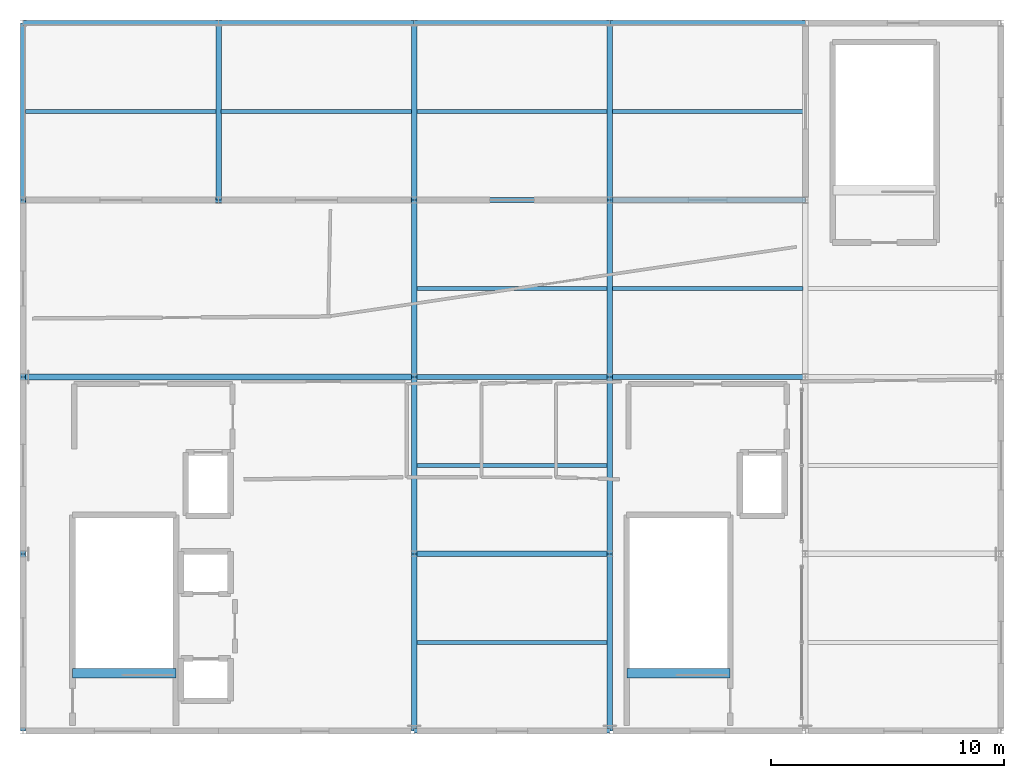
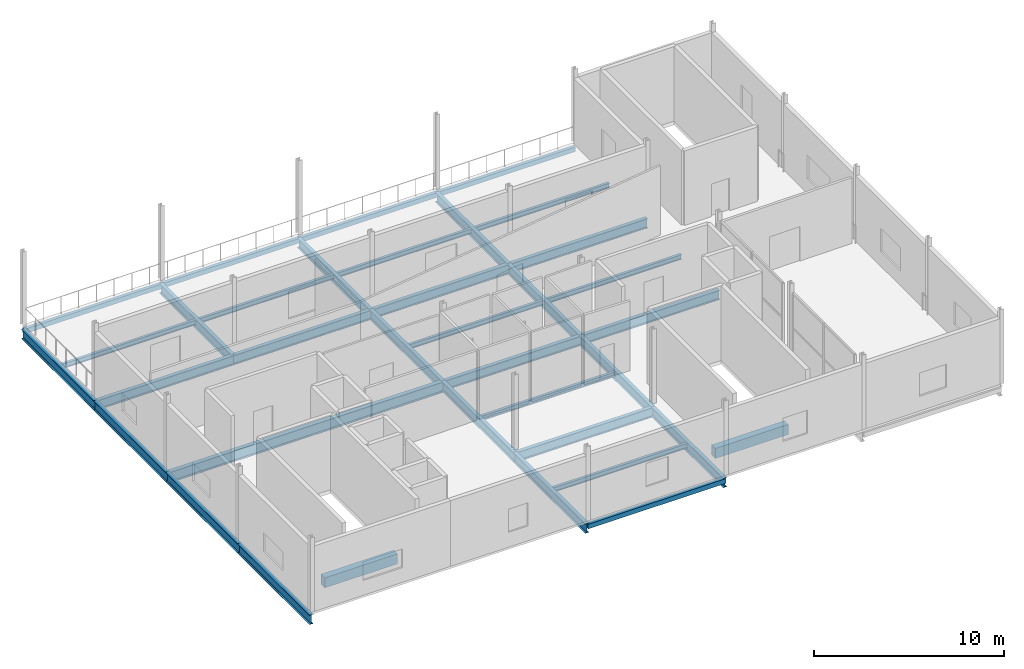
# One storey, part 3 of 8: 36 beams.
"""IFC4 building model written with IfcOpenShell, lengths in metres."""

from ifc_helpers import new_model, si_unit, direction, frame, origin, origin_2d, place, context, subcontext, project, spatial, rectangle, hollow_rectangle, i_section, extrude, material, material_profile, profile_set, type_object, element, save


model = new_model("IFC4")

# Units and contexts
model_context = context("Model", 3, precision=1e-05, world=origin(), true_north=direction((0.0, 1.0)))
body_context = subcontext(model_context, "Body", "Model", "MODEL_VIEW")
ifc_project = project(units=[si_unit("LENGTHUNIT", "METRE"), si_unit("AREAUNIT", "SQUARE_METRE"), si_unit("VOLUMEUNIT", "CUBIC_METRE"), si_unit("PLANEANGLEUNIT", "RADIAN"), si_unit("MASSUNIT", "GRAM", prefix="KILO")], contexts=[model_context])

# Site, building, storey
site_placement = place(None, origin())
site = spatial("IfcSite", under=ifc_project, at=site_placement, CompositionType="ELEMENT")
building_placement = place(site_placement, origin())
building = spatial("IfcBuilding", under=site, at=building_placement, Name="Zuvorla Pavilion Media Centre", CompositionType="ELEMENT")
storey_placement = place(building_placement, frame((0.0, 0.0, 26.39990234375)))
storey = spatial("IfcBuildingStorey", under=building, at=storey_placement, Name="L06", CompositionType="ELEMENT", Elevation=26.39990234375)

# Beams
ifc_material_1 = material(Name="Concrete C40/50", Category="concrete")
ifc_material_profile_1 = material_profile(ifc_material_1, rectangle(XDim=0.39990234375, YDim=0.64990234375, at=origin_2d()), Name="RC 400x650")
ifc_profile_set_1 = profile_set([ifc_material_profile_1], Name="Concrete C40/50")
beam_type_1 = type_object("IfcBeamType", Name="BM-RC-650", PredefinedType="BEAM", material=ifc_profile_set_1)
beam_1_placement = place(storey_placement, frame((68.929931640625, 8.469970703125, -0.323974609375), z_axis=(1.0, 0.0, 0.0), x_axis=(0.0, 1.0, 0.0)))
element("IfcBeam", 1, at=beam_1_placement, inside=storey, type_object=beam_type_1, Name="L06 ST-01 arrival trimmer beam", PredefinedType="BEAM", context=body_context, shape_type="SweptSolid", body=[
    extrude(rectangle(XDim=0.39990234375, YDim=0.64990234375, at=origin_2d()), origin(), (0.0, 0.0, 1.0), 4.440185546875),
])
beam_2_placement = place(storey_placement, frame((92.72998046875, 8.469970703125, -0.323974609375), z_axis=(1.0, 0.0, 0.0), x_axis=(0.0, 1.0, 0.0)))
element("IfcBeam", 2, at=beam_2_placement, inside=storey, type_object=beam_type_1, Name="L06 ST-02 arrival trimmer beam", PredefinedType="BEAM", context=body_context, shape_type="SweptSolid", body=[
    extrude(rectangle(XDim=0.39990234375, YDim=0.64990234375, at=origin_2d()), origin(), (0.0, 0.0, 1.0), 4.43994140625),
])
ifc_material_2 = material(Name="Steel S355", Category="steel")
ifc_material_profile_2 = material_profile(ifc_material_2, hollow_rectangle(XDim=0.199951171875, YDim=0.300048828125, WallThickness=0.012451171875, at=origin_2d()), Name="RHS 300x200x12.5")
ifc_profile_set_2 = profile_set([ifc_material_profile_2], Name="Steel S355")
beam_type_2 = type_object("IfcBeamType", Name="BM-SP-RHS300", PredefinedType="SPANDREL", material=ifc_profile_set_2)
for number, where, z_axis, x_axis, name in (
    (3, (83.60009765625, 6.0, -0.39794921875), (1.0, 0.0, 0.0), (0.0, 1.0, 0.0), "L06 spandrel SP01 1608"),
    (4, (66.800048828125, 36.39990234375, -0.39794921875), (1.0, 0.0, 0.0), (0.0, 1.0, 0.0), "L06 spandrel SP01 1620"),
):
    element("IfcBeam", number, at=place(storey_placement, frame(where, z_axis=z_axis, x_axis=x_axis)), inside=storey, type_object=beam_type_2, Name=name, PredefinedType="SPANDREL", context=body_context, shape_type="SweptSolid", body=[
        extrude(hollow_rectangle(XDim=0.199951171875, YDim=0.300048828125, WallThickness=0.012451171875, at=origin_2d()), origin(), (0.0, 0.0, 1.0), 8.39990234375),
    ])
beam_3_placement = place(storey_placement, frame((75.199951171875, 36.39990234375, -0.39794921875), z_axis=(1.0, 0.0, 0.0), x_axis=(0.0, 1.0, 0.0)))
element("IfcBeam", 5, at=beam_3_placement, inside=storey, type_object=beam_type_2, Name="L06 spandrel SP01 1621", PredefinedType="SPANDREL", context=body_context, shape_type="SweptSolid", body=[
    extrude(hollow_rectangle(XDim=0.199951171875, YDim=0.300048828125, WallThickness=0.012451171875, at=origin_2d()), origin(), (0.0, 0.0, 1.0), 8.400146484375),
])
for number, where, z_axis, x_axis, name in (
    (6, (83.60009765625, 36.39990234375, -0.39794921875), (1.0, 0.0, 0.0), (0.0, 1.0, 0.0), "L06 spandrel SP01 1622"),
    (7, (92.0, 36.39990234375, -0.39794921875), (1.0, 0.0, 0.0), (0.0, 1.0, 0.0), "L06 spandrel SP01 1623"),
):
    element("IfcBeam", number, at=place(storey_placement, frame(where, z_axis=z_axis, x_axis=x_axis)), inside=storey, type_object=beam_type_2, Name=name, PredefinedType="SPANDREL", context=body_context, shape_type="SweptSolid", body=[
        extrude(hollow_rectangle(XDim=0.199951171875, YDim=0.300048828125, WallThickness=0.012451171875, at=origin_2d()), origin(), (0.0, 0.0, 1.0), 8.39990234375),
    ])
ifc_material_profile_3 = material_profile(ifc_material_2, i_section(OverallWidth=0.165771484375, OverallDepth=0.306640625, WebThickness=0.006591796875, FlangeThickness=0.01171875, FilletRadius=0.0087890625, at=origin_2d()), Name="UB 305x165x46")
ifc_profile_set_3 = profile_set([ifc_material_profile_3], Name="Steel S355")
beam_type_3 = type_object("IfcBeamType", Name="BM-UB305", PredefinedType="JOIST", material=ifc_profile_set_3)
beam_4_placement = place(storey_placement, frame((66.909423828125, 32.60009765625, -0.401123046875), z_axis=(1.0, 0.0, 0.0), x_axis=(0.0, 1.0, 0.0)))
element("IfcBeam", 8, at=beam_4_placement, inside=storey, type_object=beam_type_3, Name="L06 joist J04 1646", PredefinedType="JOIST", context=body_context, shape_type="SweptSolid", body=[
    extrude(i_section(OverallWidth=0.165771484375, OverallDepth=0.306640625, WebThickness=0.006591796875, FlangeThickness=0.01171875, FilletRadius=0.0087890625, at=origin_2d()), origin(), (0.0, 0.0, 1.0), 8.18115234375),
])
for number, where, z_axis, x_axis, name in (
    (9, (75.3095703125, 32.60009765625, -0.401123046875), (1.0, 0.0, 0.0), (0.0, 1.0, 0.0), "L06 joist J04 1647"),
    (10, (83.70947265625, 9.800048828125, -0.401123046875), (1.0, 0.0, 0.0), (0.0, 1.0, 0.0), "L06 joist J04 1648"),
    (11, (83.70947265625, 17.39990234375, -0.401123046875), (1.0, 0.0, 0.0), (0.0, 1.0, 0.0), "L06 joist J04 1649"),
    (12, (83.70947265625, 25.0, -0.401123046875), (1.0, 0.0, 0.0), (0.0, 1.0, 0.0), "L06 joist J04 1650"),
    (13, (83.70947265625, 32.60009765625, -0.401123046875), (1.0, 0.0, 0.0), (0.0, 1.0, 0.0), "L06 joist J04 1651"),
    (14, (92.109619140625, 25.0, -0.401123046875), (1.0, 0.0, 0.0), (0.0, 1.0, 0.0), "L06 joist J04 1652"),
    (15, (92.109619140625, 32.60009765625, -0.401123046875), (1.0, 0.0, 0.0), (0.0, 1.0, 0.0), "L06 joist J04 1653"),
):
    element("IfcBeam", number, at=place(storey_placement, frame(where, z_axis=z_axis, x_axis=x_axis)), inside=storey, type_object=beam_type_3, Name=name, PredefinedType="JOIST", context=body_context, shape_type="SweptSolid", body=[
        extrude(i_section(OverallWidth=0.165771484375, OverallDepth=0.306640625, WebThickness=0.006591796875, FlangeThickness=0.01171875, FilletRadius=0.0087890625, at=origin_2d()), origin(), (0.0, 0.0, 1.0), 8.180908203125),
    ])
ifc_material_profile_4 = material_profile(ifc_material_2, i_section(OverallWidth=0.22900390625, OverallDepth=0.6123046875, WebThickness=0.011962890625, FlangeThickness=0.01953125, FilletRadius=0.0126953125, at=origin_2d()), Name="UB 610x229x125")
ifc_profile_set_4 = profile_set([ifc_material_profile_4], Name="Steel S355")
beam_type_4 = type_object("IfcBeamType", Name="BM-UB610", PredefinedType="BEAM", material=ifc_profile_set_4)
for number, where, z_axis, x_axis, name in (
    (16, (83.60009765625, 13.60009765625, -0.553955078125), (1.0, 0.0, 0.0), (0.0, 1.0, 0.0), "L06 beam B07 1610"),
    (17, (83.60009765625, 21.199951171875, -0.553955078125), (1.0, 0.0, 0.0), (0.0, 1.0, 0.0), "L06 beam B07 1613"),
    (18, (92.0, 21.199951171875, -0.553955078125), (1.0, 0.0, 0.0), (0.0, 1.0, 0.0), "L06 beam B07 1614"),
    (19, (66.800048828125, 28.800048828125, -0.553955078125), (1.0, 0.0, 0.0), (0.0, 1.0, 0.0), "L06 beam B07 1616"),
):
    element("IfcBeam", number, at=place(storey_placement, frame(where, z_axis=z_axis, x_axis=x_axis)), inside=storey, type_object=beam_type_4, Name=name, PredefinedType="BEAM", context=body_context, shape_type="SweptSolid", body=[
        extrude(i_section(OverallWidth=0.22900390625, OverallDepth=0.6123046875, WebThickness=0.011962890625, FlangeThickness=0.01953125, FilletRadius=0.0126953125, at=origin_2d()), origin(), (0.0, 0.0, 1.0), 8.39990234375),
    ])
beam_5_placement = place(storey_placement, frame((75.199951171875, 28.800048828125, -0.553955078125), z_axis=(1.0, 0.0, 0.0), x_axis=(0.0, 1.0, 0.0)))
element("IfcBeam", 20, at=beam_5_placement, inside=storey, type_object=beam_type_4, Name="L06 beam B07 1617", PredefinedType="BEAM", context=body_context, shape_type="SweptSolid", body=[
    extrude(i_section(OverallWidth=0.22900390625, OverallDepth=0.6123046875, WebThickness=0.011962890625, FlangeThickness=0.01953125, FilletRadius=0.0126953125, at=origin_2d()), origin(), (0.0, 0.0, 1.0), 8.400146484375),
])
for number, where, z_axis, x_axis, name in (
    (21, (83.60009765625, 28.800048828125, -0.553955078125), (1.0, 0.0, 0.0), (0.0, 1.0, 0.0), "L06 beam B07 1618"),
    (22, (92.0, 28.800048828125, -0.553955078125), (1.0, 0.0, 0.0), (0.0, 1.0, 0.0), "L06 beam B07 1619"),
):
    element("IfcBeam", number, at=place(storey_placement, frame(where, z_axis=z_axis, x_axis=x_axis)), inside=storey, type_object=beam_type_4, Name=name, PredefinedType="BEAM", context=body_context, shape_type="SweptSolid", body=[
        extrude(i_section(OverallWidth=0.22900390625, OverallDepth=0.6123046875, WebThickness=0.011962890625, FlangeThickness=0.01953125, FilletRadius=0.0126953125, at=origin_2d()), origin(), (0.0, 0.0, 1.0), 8.39990234375),
    ])
beam_6_placement = place(storey_placement, frame((66.800048828125, 6.0, -0.553955078125), z_axis=(0.0, 1.0, 0.0), x_axis=(-1.0, 0.0, 0.0)))
element("IfcBeam", 23, at=beam_6_placement, inside=storey, type_object=beam_type_4, Name="L06 beam B07 1625", PredefinedType="BEAM", context=body_context, shape_type="SweptSolid", body=[
    extrude(i_section(OverallWidth=0.22900390625, OverallDepth=0.6123046875, WebThickness=0.011962890625, FlangeThickness=0.01953125, FilletRadius=0.0126953125, at=origin_2d()), origin(), (0.0, 0.0, 1.0), 7.60009765625),
])
beam_7_placement = place(storey_placement, frame((66.800048828125, 13.60009765625, -0.553955078125), z_axis=(0.0, 1.0, 0.0), x_axis=(-1.0, 0.0, 0.0)))
element("IfcBeam", 24, at=beam_7_placement, inside=storey, type_object=beam_type_4, Name="L06 beam B07 1626", PredefinedType="BEAM", context=body_context, shape_type="SweptSolid", body=[
    extrude(i_section(OverallWidth=0.22900390625, OverallDepth=0.6123046875, WebThickness=0.011962890625, FlangeThickness=0.01953125, FilletRadius=0.0126953125, at=origin_2d()), origin(), (0.0, 0.0, 1.0), 7.599853515625),
])
beam_8_placement = place(storey_placement, frame((66.800048828125, 21.199951171875, -0.553955078125), z_axis=(0.0, 1.0, 0.0), x_axis=(-1.0, 0.0, 0.0)))
element("IfcBeam", 25, at=beam_8_placement, inside=storey, type_object=beam_type_4, Name="L06 beam B07 1627", PredefinedType="BEAM", context=body_context, shape_type="SweptSolid", body=[
    extrude(i_section(OverallWidth=0.22900390625, OverallDepth=0.6123046875, WebThickness=0.011962890625, FlangeThickness=0.01953125, FilletRadius=0.0126953125, at=origin_2d()), origin(), (0.0, 0.0, 1.0), 7.60009765625),
])
for number, where, z_axis, x_axis, name in (
    (26, (66.800048828125, 28.800048828125, -0.553955078125), (0.0, 1.0, 0.0), (-1.0, 0.0, 0.0), "L06 beam B07 1628"),
    (27, (75.199951171875, 28.800048828125, -0.553955078125), (0.0, 1.0, 0.0), (-1.0, 0.0, 0.0), "L06 beam B07 1629"),
):
    element("IfcBeam", number, at=place(storey_placement, frame(where, z_axis=z_axis, x_axis=x_axis)), inside=storey, type_object=beam_type_4, Name=name, PredefinedType="BEAM", context=body_context, shape_type="SweptSolid", body=[
        extrude(i_section(OverallWidth=0.22900390625, OverallDepth=0.6123046875, WebThickness=0.011962890625, FlangeThickness=0.01953125, FilletRadius=0.0126953125, at=origin_2d()), origin(), (0.0, 0.0, 1.0), 7.599853515625),
    ])
beam_9_placement = place(storey_placement, frame((83.60009765625, 6.0, -0.553955078125), z_axis=(0.0, 1.0, 0.0), x_axis=(-1.0, 0.0, 0.0)))
element("IfcBeam", 28, at=beam_9_placement, inside=storey, type_object=beam_type_4, Name="L06 beam B07 1630", PredefinedType="BEAM", context=body_context, shape_type="SweptSolid", body=[
    extrude(i_section(OverallWidth=0.22900390625, OverallDepth=0.6123046875, WebThickness=0.011962890625, FlangeThickness=0.01953125, FilletRadius=0.0126953125, at=origin_2d()), origin(), (0.0, 0.0, 1.0), 7.60009765625),
])
beam_10_placement = place(storey_placement, frame((83.60009765625, 13.60009765625, -0.553955078125), z_axis=(0.0, 1.0, 0.0), x_axis=(-1.0, 0.0, 0.0)))
element("IfcBeam", 29, at=beam_10_placement, inside=storey, type_object=beam_type_4, Name="L06 beam B07 1631", PredefinedType="BEAM", context=body_context, shape_type="SweptSolid", body=[
    extrude(i_section(OverallWidth=0.22900390625, OverallDepth=0.6123046875, WebThickness=0.011962890625, FlangeThickness=0.01953125, FilletRadius=0.0126953125, at=origin_2d()), origin(), (0.0, 0.0, 1.0), 7.599853515625),
])
beam_11_placement = place(storey_placement, frame((83.60009765625, 21.199951171875, -0.553955078125), z_axis=(0.0, 1.0, 0.0), x_axis=(-1.0, 0.0, 0.0)))
element("IfcBeam", 30, at=beam_11_placement, inside=storey, type_object=beam_type_4, Name="L06 beam B07 1632", PredefinedType="BEAM", context=body_context, shape_type="SweptSolid", body=[
    extrude(i_section(OverallWidth=0.22900390625, OverallDepth=0.6123046875, WebThickness=0.011962890625, FlangeThickness=0.01953125, FilletRadius=0.0126953125, at=origin_2d()), origin(), (0.0, 0.0, 1.0), 7.60009765625),
])
beam_12_placement = place(storey_placement, frame((83.60009765625, 28.800048828125, -0.553955078125), z_axis=(0.0, 1.0, 0.0), x_axis=(-1.0, 0.0, 0.0)))
element("IfcBeam", 31, at=beam_12_placement, inside=storey, type_object=beam_type_4, Name="L06 beam B07 1633", PredefinedType="BEAM", context=body_context, shape_type="SweptSolid", body=[
    extrude(i_section(OverallWidth=0.22900390625, OverallDepth=0.6123046875, WebThickness=0.011962890625, FlangeThickness=0.01953125, FilletRadius=0.0126953125, at=origin_2d()), origin(), (0.0, 0.0, 1.0), 7.599853515625),
])
beam_13_placement = place(storey_placement, frame((92.0, 6.0, -0.553955078125), z_axis=(0.0, 1.0, 0.0), x_axis=(-1.0, 0.0, 0.0)))
element("IfcBeam", 32, at=beam_13_placement, inside=storey, type_object=beam_type_4, Name="L06 beam B07 1634", PredefinedType="BEAM", context=body_context, shape_type="SweptSolid", body=[
    extrude(i_section(OverallWidth=0.22900390625, OverallDepth=0.6123046875, WebThickness=0.011962890625, FlangeThickness=0.01953125, FilletRadius=0.0126953125, at=origin_2d()), origin(), (0.0, 0.0, 1.0), 7.60009765625),
])
beam_14_placement = place(storey_placement, frame((92.0, 13.60009765625, -0.553955078125), z_axis=(0.0, 1.0, 0.0), x_axis=(-1.0, 0.0, 0.0)))
element("IfcBeam", 33, at=beam_14_placement, inside=storey, type_object=beam_type_4, Name="L06 beam B07 1635", PredefinedType="BEAM", context=body_context, shape_type="SweptSolid", body=[
    extrude(i_section(OverallWidth=0.22900390625, OverallDepth=0.6123046875, WebThickness=0.011962890625, FlangeThickness=0.01953125, FilletRadius=0.0126953125, at=origin_2d()), origin(), (0.0, 0.0, 1.0), 7.599853515625),
])
beam_15_placement = place(storey_placement, frame((92.0, 21.199951171875, -0.553955078125), z_axis=(0.0, 1.0, 0.0), x_axis=(-1.0, 0.0, 0.0)))
element("IfcBeam", 34, at=beam_15_placement, inside=storey, type_object=beam_type_4, Name="L06 beam B07 1636", PredefinedType="BEAM", context=body_context, shape_type="SweptSolid", body=[
    extrude(i_section(OverallWidth=0.22900390625, OverallDepth=0.6123046875, WebThickness=0.011962890625, FlangeThickness=0.01953125, FilletRadius=0.0126953125, at=origin_2d()), origin(), (0.0, 0.0, 1.0), 7.60009765625),
])
beam_16_placement = place(storey_placement, frame((92.0, 28.800048828125, -0.553955078125), z_axis=(0.0, 1.0, 0.0), x_axis=(-1.0, 0.0, 0.0)))
element("IfcBeam", 35, at=beam_16_placement, inside=storey, type_object=beam_type_4, Name="L06 beam B07 1637", PredefinedType="BEAM", context=body_context, shape_type="SweptSolid", body=[
    extrude(i_section(OverallWidth=0.22900390625, OverallDepth=0.6123046875, WebThickness=0.011962890625, FlangeThickness=0.01953125, FilletRadius=0.0126953125, at=origin_2d()), origin(), (0.0, 0.0, 1.0), 7.599853515625),
])
ifc_material_profile_5 = material_profile(ifc_material_2, i_section(OverallWidth=0.25439453125, OverallDepth=0.6875, WebThickness=0.01318359375, FlangeThickness=0.02099609375, FilletRadius=0.01513671875, at=origin_2d()), Name="UB 686x254x152")
ifc_profile_set_5 = profile_set([ifc_material_profile_5], Name="Steel S355")
beam_type_5 = type_object("IfcBeamType", Name="BM-UB686", PredefinedType="BEAM", material=ifc_profile_set_5)
beam_17_placement = place(storey_placement, frame((66.800048828125, 21.199951171875, -0.591552734375), z_axis=(1.0, 0.0, 0.0), x_axis=(0.0, 1.0, 0.0)))
element("IfcBeam", 36, at=beam_17_placement, inside=storey, type_object=beam_type_5, Name="L06 beam B06 1612", PredefinedType="BEAM", context=body_context, shape_type="SweptSolid", body=[
    extrude(i_section(OverallWidth=0.25439453125, OverallDepth=0.6875, WebThickness=0.01318359375, FlangeThickness=0.02099609375, FilletRadius=0.01513671875, at=origin_2d()), origin(), (0.0, 0.0, 1.0), 16.800048828125),
])

save(model, "model.ifc")
